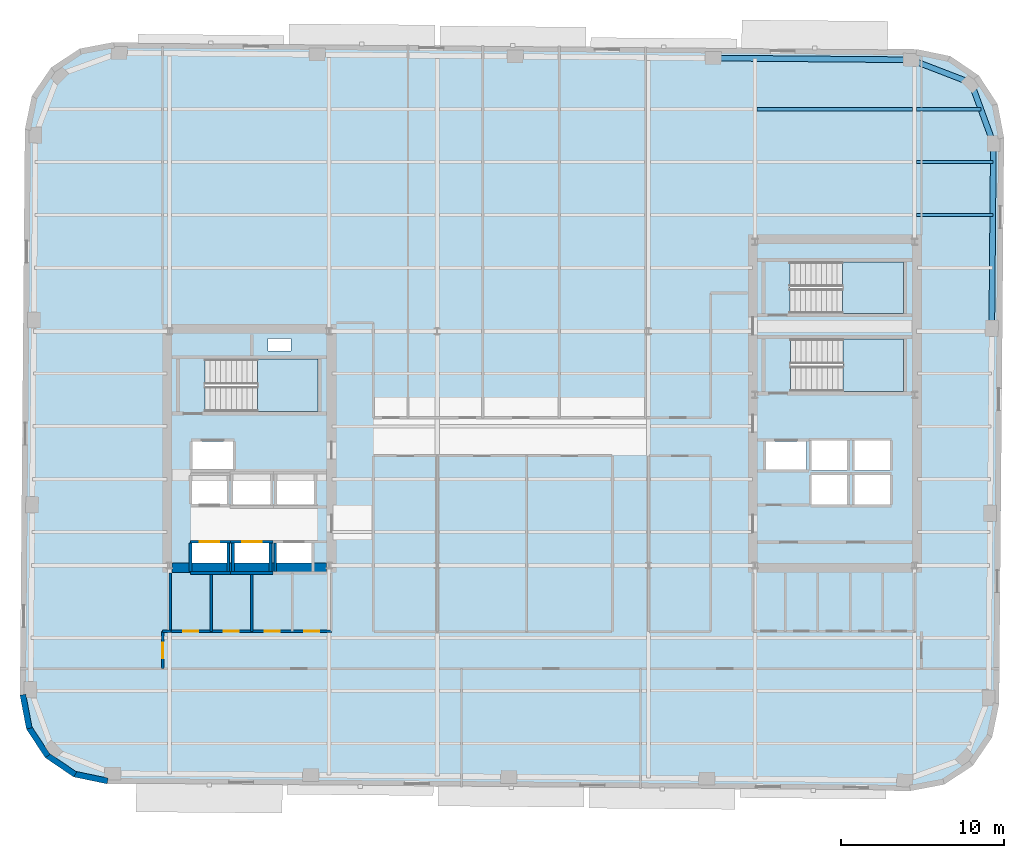
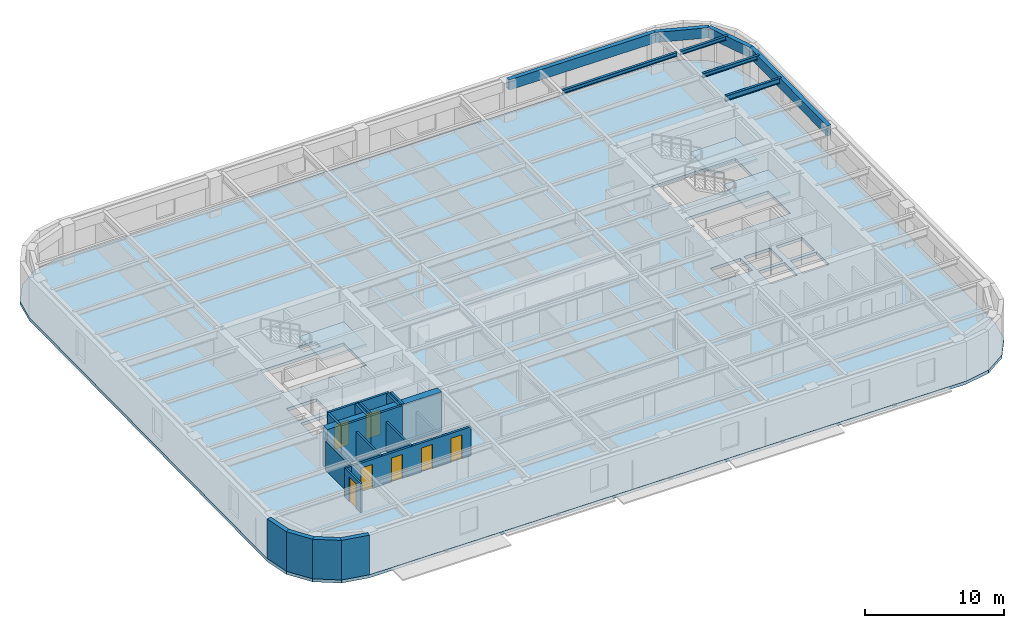
# One storey, part 3 of 11: 20 walls, 8 beams, 7 doors, 4 slabs, 7 openings, 3 elements without a shape of their own.
"""IFC4 building model written with IfcOpenShell, lengths in metres."""

import ifcopenshell
import ifcopenshell.guid

model = None  # the IFC model being written
_history = None  # IfcOwnerHistory: only IFC2X3 demands one
_inside = {}  # id of a spatial element -> (the spatial element, [elements in it])
_under = {}  # id of a project, library or spatial element -> (it, [spatial elements below it])
_declared = {}  # id of a project -> (the project, [libraries it declares])
_typed = {}  # id of a type object -> (the type object, [elements of that type])
_made_of = {}  # id of a material, layer set ... -> (it, [elements and type objects made of it])


def new_model(schema):
    """Start an empty IFC model of exactly this schema.

    Asked for "IFC4X3", IfcOpenShell would pick the latest addendum, in which some entities
    have other attributes; the version numbers below select the first issue.
    IFC2X3 requires an IfcOwnerHistory on every rooted entity: one is made here for all.
    """
    global model, _history
    if schema == "IFC4X3":
        model = ifcopenshell.file(schema_version=(4, 3, 0, 0))
    else:
        model = ifcopenshell.file(schema=schema)
    _inside.clear()
    _under.clear()
    _declared.clear()
    _typed.clear()
    _made_of.clear()
    _history = None
    if model.schema == "IFC2X3":
        org = make("IfcOrganization", Name="unknown")
        user = make(
            "IfcPersonAndOrganization",
            ThePerson=make("IfcPerson", FamilyName="unknown"),
            TheOrganization=org,
        )
        app = make(
            "IfcApplication",
            ApplicationDeveloper=org,
            Version="unknown",
            ApplicationFullName="unknown",
            ApplicationIdentifier="unknown",
        )
        _history = make(
            "IfcOwnerHistory",
            OwningUser=user,
            OwningApplication=app,
            ChangeAction="ADDED",
            CreationDate=0,
        )
    return model


def make(cls, **values):
    """One entity of the class cls with the attributes given. An attribute that is None is left unset."""
    return model.create_entity(
        cls, **{name: value for name, value in values.items() if value is not None}
    )


def rooted(cls, **values):
    """An entity with a GlobalId (a new one), such as an element, a storey or a relation."""
    return make(cls, GlobalId=ifcopenshell.guid.new(), OwnerHistory=_history, **values)


def si_unit(unit_type, name, prefix=None):
    """IfcSIUnit, for example si_unit("LENGTHUNIT", "METRE", prefix="MILLI")."""
    return make("IfcSIUnit", UnitType=unit_type, Prefix=prefix, Name=name)


def assignment(units):
    """IfcUnitAssignment: the units of a project."""
    return None if units is None else make("IfcUnitAssignment", Units=units)


def point(xyz):
    """IfcCartesianPoint."""
    return None if xyz is None else make("IfcCartesianPoint", Coordinates=xyz)


def direction(xyz):
    """IfcDirection."""
    return None if xyz is None else make("IfcDirection", DirectionRatios=xyz)


def frame(location, z_axis=None, x_axis=None):
    """IfcAxis2Placement3D, a coordinate frame: its origin and axes. An axis left out is left unset."""
    return make(
        "IfcAxis2Placement3D",
        Location=point(location),
        Axis=direction(z_axis),
        RefDirection=direction(x_axis),
    )


def frame_2d(location, x_axis=None):
    """IfcAxis2Placement2D, a coordinate frame in the plane: its origin and x axis."""
    return make(
        "IfcAxis2Placement2D", Location=point(location), RefDirection=direction(x_axis)
    )


def origin():
    """The frame at (0, 0, 0) with its axes left unset."""
    return frame((0.0, 0.0, 0.0))


def origin_2d():
    """The frame at (0, 0) in the plane with its x axis left unset."""
    return frame_2d((0.0, 0.0))


def place(relative_to, where):
    """IfcLocalPlacement: puts the frame where relative to a parent placement (None: the world)."""
    return make(
        "IfcLocalPlacement", PlacementRelTo=relative_to, RelativePlacement=where
    )


def context(
    kind, dimensions, precision=None, world=None, true_north=None, identifier=None
):
    """IfcGeometricRepresentationContext, for example the 3D "Model" context."""
    return make(
        "IfcGeometricRepresentationContext",
        ContextIdentifier=identifier,
        ContextType=kind,
        CoordinateSpaceDimension=dimensions,
        Precision=precision,
        WorldCoordinateSystem=world,
        TrueNorth=true_north,
    )


def subcontext(parent, identifier, kind, view, scale=None):
    """IfcGeometricRepresentationSubContext, for example "Body" below "Model"."""
    return make(
        "IfcGeometricRepresentationSubContext",
        ContextIdentifier=identifier,
        ContextType=kind,
        ParentContext=parent,
        TargetScale=scale,
        TargetView=view,
    )


def project(units=None, contexts=None):
    """IfcProject with its units and contexts."""
    return rooted(
        "IfcProject",
        Name="project",
        RepresentationContexts=contexts,
        UnitsInContext=assignment(units),
    )


def spatial(cls, under=None, at=None, **own):
    """A site, building, storey or space (cls), placed at a placement, below another one or the project."""
    s = rooted(cls, ObjectPlacement=at, **own)
    if under is not None:
        _under.setdefault(under.id(), (under, []))[1].append(s)
    return s


def polyline(points):
    """IfcPolyline through the points."""
    return make("IfcPolyline", Points=[point(p) for p in points])


def profile(cls, at=None, kind="AREA", **sizes):
    """A parametric profile (cls). Its sizes go by their IFC names, for example OverallWidth=200.0."""
    return make(cls, ProfileType=kind, Position=at, **sizes)


def rectangle(**sizes):
    """IfcRectangleProfileDef."""
    return profile("IfcRectangleProfileDef", **sizes)


def hollow_rectangle(**sizes):
    """IfcRectangleHollowProfileDef."""
    return profile("IfcRectangleHollowProfileDef", **sizes)


def i_section(**sizes):
    """IfcIShapeProfileDef."""
    return profile("IfcIShapeProfileDef", **sizes)


def outline(outer, holes=None, kind="AREA"):
    """IfcArbitraryClosedProfileDef: a profile drawn as a closed curve; with holes, ...WithVoids."""
    if holes is None:
        return make("IfcArbitraryClosedProfileDef", ProfileType=kind, OuterCurve=outer)
    return make(
        "IfcArbitraryProfileDefWithVoids",
        ProfileType=kind,
        OuterCurve=outer,
        InnerCurves=holes,
    )


def extrude(swept, where, along, depth):
    """IfcExtrudedAreaSolid: the profile swept, set in the frame where, extruded along a direction by depth."""
    return make(
        "IfcExtrudedAreaSolid",
        SweptArea=swept,
        Position=where,
        ExtrudedDirection=direction(along),
        Depth=depth,
    )


def shape(context_of_items, identifier, shape_type, items):
    """IfcShapeRepresentation: the items that make up one representation, for example the "Body"."""
    return make(
        "IfcShapeRepresentation",
        ContextOfItems=context_of_items,
        RepresentationIdentifier=identifier,
        RepresentationType=shape_type,
        Items=items,
    )


def material(Name=None, Category=None):
    """IfcMaterial."""
    return make("IfcMaterial", Name=Name, Category=Category)


def layer(
    of_material, thickness, ventilated=None, Name=None, Category=None, Priority=None
):
    """IfcMaterialLayer: one layer of a wall or slab, of a material (None: an air gap)."""
    return make(
        "IfcMaterialLayer",
        Material=of_material,
        LayerThickness=thickness,
        IsVentilated=ventilated,
        Name=Name,
        Category=Category,
        Priority=Priority,
    )


def layer_set(layers, Name=None):
    """IfcMaterialLayerSet."""
    return make("IfcMaterialLayerSet", MaterialLayers=layers, LayerSetName=Name)


def material_profile(
    of_material, cross_section, Name=None, Category=None, Priority=None
):
    """IfcMaterialProfile: a cross section and its material."""
    return make(
        "IfcMaterialProfile",
        Name=Name,
        Material=of_material,
        Profile=cross_section,
        Priority=Priority,
        Category=Category,
    )


def profile_set(profiles, Name=None, composite=None):
    """IfcMaterialProfileSet."""
    return make(
        "IfcMaterialProfileSet",
        Name=Name,
        MaterialProfiles=profiles,
        CompositeProfile=composite,
    )


def made_of(thing, what):
    """Note that an element or type object is made of a material, layer set ...; save() writes the relation."""
    if what is not None:
        _made_of.setdefault(what.id(), (what, []))[1].append(thing)
    return thing


def type_object(cls, material=None, **own):
    """A type object (cls), such as IfcWallType, which elements share."""
    return made_of(rooted(cls, **own), material)


def element(
    cls,
    number,
    at=None,
    inside=None,
    cuts=None,
    type_object=None,
    material=None,
    context=None,
    identifier="Body",
    shape_type=None,
    held_by="IfcProductDefinitionShape",
    body=None,
    shapes=None,
    **own,
):
    """One element of the class cls, such as IfcWall. Its Tag is "e" and its number.

    at: its placement. inside: the storey or other place that contains it. cuts: it is an
    opening in that element (IfcRelVoidsElement). A single representation is given by context,
    identifier, shape_type and body (its items); several are given by shapes. held_by: the class
    of the entity that holds the representations. save() writes the other relations.
    """
    e = rooted(cls, Tag="e%d" % number, ObjectPlacement=at, **own)
    if body is not None:
        shapes = [shape(context, identifier, shape_type, body)]
    if shapes is not None:
        e.Representation = make(held_by, Representations=shapes)
    if inside is not None:
        _inside.setdefault(inside.id(), (inside, []))[1].append(e)
    if cuts is not None:
        rooted(
            "IfcRelVoidsElement", RelatingBuildingElement=cuts, RelatedOpeningElement=e
        )
    if type_object is not None:
        _typed.setdefault(type_object.id(), (type_object, []))[1].append(e)
    return made_of(e, material)


def fill(opening, filler):
    """IfcRelFillsElement: the door or window that sits in an opening."""
    return rooted(
        "IfcRelFillsElement",
        RelatingOpeningElement=opening,
        RelatedBuildingElement=filler,
    )


def aggregate(whole, parts):
    """IfcRelAggregates: a whole, such as a stair, and the parts it consists of."""
    return rooted("IfcRelAggregates", RelatingObject=whole, RelatedObjects=parts)


def save(model, path):
    """Write the relations noted so far, then the file.

    IfcRelAggregates (storeys below a building ...), IfcRelContainedInSpatialStructure (elements
    in a storey), IfcRelDefinesByType, IfcRelAssociatesMaterial and IfcRelDeclares: one each for
    every whole, place, type object, material and project.
    """
    for whole, parts in _under.values():
        aggregate(whole, parts)
    for where, things in _inside.values():
        rooted(
            "IfcRelContainedInSpatialStructure",
            RelatedElements=things,
            RelatingStructure=where,
        )
    for kind, things in _typed.values():
        rooted("IfcRelDefinesByType", RelatedObjects=things, RelatingType=kind)
    for what, things in _made_of.values():
        rooted("IfcRelAssociatesMaterial", RelatedObjects=things, RelatingMaterial=what)
    for by, libraries in _declared.values():
        rooted("IfcRelDeclares", RelatingContext=by, RelatedDefinitions=libraries)
    model.write(path)


model = new_model("IFC4")

# Units and contexts
model_context = context("Model", 3, precision=1e-05, world=origin(), true_north=direction((0.0, 1.0)))
body_context = subcontext(model_context, "Body", "Model", "MODEL_VIEW")
ifc_project = project(units=[si_unit("LENGTHUNIT", "METRE"), si_unit("AREAUNIT", "SQUARE_METRE"), si_unit("VOLUMEUNIT", "CUBIC_METRE"), si_unit("PLANEANGLEUNIT", "RADIAN"), si_unit("MASSUNIT", "GRAM", prefix="KILO")], contexts=[model_context])

# Site, building, storey
site_placement = place(None, origin())
site = spatial("IfcSite", under=ifc_project, at=site_placement, CompositionType="ELEMENT")
building_placement = place(site_placement, origin())
building = spatial("IfcBuilding", under=site, at=building_placement, Name="Kolvaren Arena Tower", CompositionType="ELEMENT")
storey_placement = place(building_placement, frame((0.0, 0.0, 184.699951171875)))
storey = spatial("IfcBuildingStorey", under=building, at=storey_placement, Name="L44", CompositionType="ELEMENT", Elevation=184.699951171875)

# Beams
ifc_material_1 = material(Name="Steel CSA G40.21 350W", Category="steel")
ifc_material_profile_1 = material_profile(ifc_material_1, i_section(OverallWidth=0.193115234375, OverallDepth=0.462890625, WebThickness=0.0107421875, FlangeThickness=0.0205078125, FilletRadius=0.012939453125, at=origin_2d()), Name="W460x113")
ifc_profile_set_1 = profile_set([ifc_material_profile_1], Name="Steel CSA G40.21 350W")
beam_type_1 = type_object("IfcBeamType", Name="BEAM-F2", PredefinedType="BEAM", material=ifc_profile_set_1)
beam_1_placement = place(storey_placement, frame((60.4775390625, 41.0, 3.24853515625), z_axis=(1.0, 0.0, 0.0), x_axis=(0.0, 1.0, 0.0)))
element("IfcBeam", 1, at=beam_1_placement, inside=storey, type_object=beam_type_1, Name="Composite Floor Beam (L44)", PredefinedType="BEAM", context=body_context, shape_type="SweptSolid", body=[
    extrude(i_section(OverallWidth=0.193115234375, OverallDepth=0.462890625, WebThickness=0.0107421875, FlangeThickness=0.0205078125, FilletRadius=0.012939453125, at=origin_2d()), origin(), (0.0, 0.0, 1.0), 4.681884765625),
])
ifc_material_profile_2 = material_profile(ifc_material_1, i_section(OverallWidth=0.202880859375, OverallDepth=0.346923828125, WebThickness=0.0078125, FlangeThickness=0.013427734375, FilletRadius=0.010986328125, at=origin_2d()), Name="W360x64")
ifc_profile_set_2 = profile_set([ifc_material_profile_2], Name="Steel CSA G40.21 350W")
beam_type_2 = type_object("IfcBeamType", Name="JOIST-01", PredefinedType="JOIST", material=ifc_profile_set_2)
beam_2_placement = place(storey_placement, frame((60.4775390625, 44.25, 3.306640625), z_axis=(1.0, 0.0, 0.0), x_axis=(0.0, 1.0, 0.0)))
element("IfcBeam", 2, at=beam_2_placement, inside=storey, type_object=beam_type_2, Name="Composite Floor Joist (L44)", PredefinedType="JOIST", context=body_context, shape_type="SweptSolid", body=[
    extrude(i_section(OverallWidth=0.202880859375, OverallDepth=0.346923828125, WebThickness=0.0078125, FlangeThickness=0.013427734375, FilletRadius=0.010986328125, at=origin_2d()), origin(), (0.0, 0.0, 1.0), 4.710205078125),
])
beam_3_placement = place(storey_placement, frame((50.677490234375, 47.5, 3.306640625), z_axis=(1.0, 0.0, 0.0), x_axis=(0.0, 1.0, 0.0)))
element("IfcBeam", 3, at=beam_3_placement, inside=storey, type_object=beam_type_2, Name="Composite Floor Joist (L44)", PredefinedType="JOIST", context=body_context, shape_type="SweptSolid", body=[
    extrude(i_section(OverallWidth=0.202880859375, OverallDepth=0.346923828125, WebThickness=0.0078125, FlangeThickness=0.013427734375, FilletRadius=0.010986328125, at=origin_2d()), origin(), (0.0, 0.0, 1.0), 9.544921875),
])
beam_4_placement = place(storey_placement, frame((60.4775390625, 47.5, 3.306640625), z_axis=(1.0, 0.0, 0.0), x_axis=(0.0, 1.0, 0.0)))
element("IfcBeam", 4, at=beam_4_placement, inside=storey, type_object=beam_type_2, Name="Composite Floor Joist (L44)", PredefinedType="JOIST", context=body_context, shape_type="SweptSolid", body=[
    extrude(i_section(OverallWidth=0.202880859375, OverallDepth=0.346923828125, WebThickness=0.0078125, FlangeThickness=0.013427734375, FilletRadius=0.010986328125, at=origin_2d()), origin(), (0.0, 0.0, 1.0), 3.950439453125),
])
ifc_material_2 = material(Name="Steel CSA G40.21 350WT", Category="steel")
ifc_material_profile_3 = material_profile(ifc_material_2, hollow_rectangle(XDim=0.35009765625, YDim=0.89990234375, WallThickness=0.02001953125, at=origin_2d()), Name="HSS 900x350x20")
ifc_profile_set_3 = profile_set([ifc_material_profile_3], Name="Steel CSA G40.21 350WT")
beam_type_3 = type_object("IfcBeamType", Name="SPAND-01", PredefinedType="SPANDREL", material=ifc_profile_set_3)
beam_5_placement = place(storey_placement, frame((65.098388671875, 34.026123046875, 3.030029296875), z_axis=(0.008741825937, 0.99996178951, 0.0), x_axis=(-0.99996178951, 0.008741825937, 0.0)))
element("IfcBeam", 5, at=beam_5_placement, inside=storey, type_object=beam_type_3, Name="Perimeter Spandrel Beam (L44)", PredefinedType="SPANDREL", context=body_context, shape_type="SweptSolid", body=[
    extrude(hollow_rectangle(XDim=0.35009765625, YDim=0.89990234375, WallThickness=0.02001953125, at=origin_2d()), origin(), (0.0, 0.0, 1.0), 11.36669921875),
])
for number, where, z_axis, x_axis, name in (
    (6, (65.19775390625, 45.392333984375, 3.030029296875), (-0.343059102458, 0.939313819882, 0.0), (-0.939313819882, -0.343059102458, 0.0), "Perimeter Spandrel Beam (L44)"),
    (7, (63.8388671875, 49.113037109375, 3.030029296875), (-0.933189846698, 0.359383792094, 0.0), (-0.359383792094, -0.933189846698, 0.0), "Perimeter Spandrel Beam (L44)"),
):
    element("IfcBeam", number, at=place(storey_placement, frame(where, z_axis=z_axis, x_axis=x_axis)), inside=storey, type_object=beam_type_3, Name=name, PredefinedType="SPANDREL", context=body_context, shape_type="SweptSolid", body=[
        extrude(hollow_rectangle(XDim=0.35009765625, YDim=0.89990234375, WallThickness=0.02001953125, at=origin_2d()), origin(), (0.0, 0.0, 1.0), 3.961181640625),
    ])
beam_6_placement = place(storey_placement, frame((60.142333984375, 50.53662109375, 3.030029296875), z_axis=(-0.99996195503, 0.008722871848, 0.0), x_axis=(-0.008722871848, -0.99996195503, 0.0)))
element("IfcBeam", 8, at=beam_6_placement, inside=storey, type_object=beam_type_3, Name="Perimeter Spandrel Beam (L44)", PredefinedType="SPANDREL", context=body_context, shape_type="SweptSolid", body=[
    extrude(hollow_rectangle(XDim=0.35009765625, YDim=0.89990234375, WallThickness=0.02001953125, at=origin_2d()), origin(), (0.0, 0.0, 1.0), 12.175048828125),
])

# Stair, slab
ifc_material_3 = material(Name="Concrete 45 MPa", Category="concrete")
stair_type_1 = type_object("IfcStairType", Name="STAIR-CORE-165", PredefinedType="HALF_TURN_STAIR", material=ifc_material_3)
stair_1_placement = place(storey_placement, origin())
stair_1 = element("IfcStair", 9, at=stair_1_placement, inside=storey, type_object=stair_type_1, Name="L44 ST-W1", PredefinedType="HALF_TURN_STAIR")
ifc_layer_1 = layer(ifc_material_3, 0.199951171875)
ifc_layer_set_1 = layer_set([ifc_layer_1], Name="Concrete 45 MPa")
slab_type_1 = type_object("IfcSlabType", Name="SLAB-LAND", PredefinedType="LANDING", material=ifc_layer_set_1)
slab_1_placement = place(storey_placement, frame((0.0, 0.0, 1.675048828125)))
slab_1 = element("IfcSlab", 10, at=slab_1_placement, type_object=slab_type_1, Name="ST-W1 landing 1", PredefinedType="LANDING", context=body_context, shape_type="SweptSolid", body=[
    extrude(outline(polyline([(19.9599609375, 28.89990234375), (23.659912109375, 28.89990234375), (23.659912109375, 32.1298828125), (19.9599609375, 32.1298828125), (19.9599609375, 28.89990234375)])), origin(), (0.0, 0.0, 1.0), 0.199951171875),
])
aggregate(stair_1, [slab_1])

stair_2_placement = place(storey_placement, origin())
stair_2 = element("IfcStair", 11, at=stair_2_placement, inside=storey, type_object=stair_type_1, Name="L44 ST-E1", PredefinedType="HALF_TURN_STAIR")
slab_2_placement = place(storey_placement, frame((0.0, 0.0, 1.675048828125)))
slab_2 = element("IfcSlab", 12, at=slab_2_placement, type_object=slab_type_1, Name="ST-E1 landing 1", PredefinedType="LANDING", context=body_context, shape_type="SweptSolid", body=[
    extrude(outline(polyline([(55.9599609375, 30.14990234375), (59.659912109375, 30.14990234375), (59.659912109375, 33.3798828125), (55.9599609375, 33.3798828125), (55.9599609375, 30.14990234375)])), origin(), (0.0, 0.0, 1.0), 0.199951171875),
])
aggregate(stair_2, [slab_2])

stair_type_2 = type_object("IfcStairType", Name="STAIR-CORE-150", PredefinedType="HALF_TURN_STAIR", material=ifc_material_3)
stair_3_placement = place(storey_placement, origin())
stair_3 = element("IfcStair", 13, at=stair_3_placement, inside=storey, type_object=stair_type_2, Name="L44 ST-E2", PredefinedType="HALF_TURN_STAIR")
slab_3_placement = place(storey_placement, frame((0.0, 0.0, 1.675048828125)))
slab_3 = element("IfcSlab", 14, at=slab_3_placement, type_object=slab_type_1, Name="ST-E2 landing 1", PredefinedType="LANDING", context=body_context, shape_type="SweptSolid", body=[
    extrude(outline(polyline([(55.919921875, 34.949951171875), (59.659912109375, 34.949951171875), (59.659912109375, 38.10009765625), (55.919921875, 38.10009765625), (55.919921875, 34.949951171875)])), origin(), (0.0, 0.0, 1.0), 0.199951171875),
])
aggregate(stair_3, [slab_3])

# Slab
ifc_layer_2 = layer(ifc_material_3, 0.27001953125)
ifc_layer_set_2 = layer_set([ifc_layer_2], Name="Concrete 45 MPa")
slab_type_2 = type_object("IfcSlabType", Name="SLAB-OFF2", PredefinedType="FLOOR", material=ifc_layer_set_2)
slab_4_placement = place(storey_placement, frame((0.0, 0.0, -0.27001953125)))
element("IfcSlab", 15, at=slab_4_placement, inside=storey, type_object=slab_type_2, Name="L44 Primary Structural Slab", PredefinedType="FLOOR", context=body_context, shape_type="SweptSolid", body=[
    extrude(outline(polyline([(60.10009765625, 5.585205078125), (62.170166015625, 5.978271484375), (63.93212890625, 7.133544921875), (65.117919921875, 8.875244140625), (65.547119140625, 10.93798828125), (65.8505859375, 45.73681640625), (65.457763671875, 47.806640625), (64.302490234375, 49.568603515625), (62.560791015625, 50.75439453125), (60.498046875, 51.18359375), (11.099853515625, 51.61474609375), (9.02978515625, 51.2216796875), (7.267822265625, 50.06640625), (6.08203125, 48.32470703125), (5.653076171875, 46.261962890625), (5.349365234375, 11.46337890625), (5.7421875, 9.393310546875), (6.8974609375, 7.63134765625), (8.63916015625, 6.445556640625), (10.701904296875, 6.016357421875), (60.10009765625, 5.585205078125)]), holes=[polyline([(15.93505859375, 19.0849609375), (15.93505859375, 20.81494140625), (18.06494140625, 20.81494140625), (18.06494140625, 19.0849609375), (15.93505859375, 19.0849609375)]), polyline([(18.534912109375, 19.0849609375), (18.534912109375, 20.81494140625), (20.6650390625, 20.81494140625), (20.6650390625, 19.0849609375), (18.534912109375, 19.0849609375)]), polyline([(21.135009765625, 19.0849609375), (21.135009765625, 20.81494140625), (23.264892578125, 20.81494140625), (23.264892578125, 19.0849609375), (21.135009765625, 19.0849609375)]), polyline([(18.4599609375, 23.135009765625), (18.4599609375, 25.06494140625), (20.739990234375, 25.06494140625), (20.739990234375, 23.135009765625), (18.4599609375, 23.135009765625)]), polyline([(21.159912109375, 23.135009765625), (21.159912109375, 25.06494140625), (23.43994140625, 25.06494140625), (23.43994140625, 23.135009765625), (21.159912109375, 23.135009765625)]), polyline([(54.030029296875, 23.18505859375), (54.030029296875, 25.014892578125), (56.2099609375, 25.014892578125), (56.2099609375, 23.18505859375), (54.030029296875, 23.18505859375)]), polyline([(56.669921875, 23.18505859375), (56.669921875, 25.014892578125), (58.85009765625, 25.014892578125), (58.85009765625, 23.18505859375), (56.669921875, 23.18505859375)]), polyline([(15.93505859375, 23.235107421875), (15.93505859375, 24.965087890625), (18.06494140625, 24.965087890625), (18.06494140625, 23.235107421875), (15.93505859375, 23.235107421875)]), polyline([(54.030029296875, 25.284912109375), (54.030029296875, 27.114990234375), (56.2099609375, 27.114990234375), (56.2099609375, 25.284912109375), (54.030029296875, 25.284912109375)]), polyline([(56.669921875, 25.284912109375), (56.669921875, 27.114990234375), (58.85009765625, 27.114990234375), (58.85009765625, 25.284912109375), (56.669921875, 25.284912109375)]), polyline([(15.9599609375, 25.3349609375), (15.9599609375, 27.06494140625), (18.43994140625, 27.06494140625), (18.43994140625, 25.3349609375), (15.9599609375, 25.3349609375)]), polyline([(51.219970703125, 25.3349609375), (51.219970703125, 27.06494140625), (53.699951171875, 27.06494140625), (53.699951171875, 25.3349609375), (51.219970703125, 25.3349609375)]), polyline([(16.735107421875, 28.89990234375), (16.735107421875, 32.1298828125), (23.659912109375, 32.1298828125), (23.659912109375, 28.89990234375), (16.735107421875, 28.89990234375)]), polyline([(52.735107421875, 30.14990234375), (52.735107421875, 33.3798828125), (59.659912109375, 33.3798828125), (59.659912109375, 30.14990234375), (52.735107421875, 30.14990234375)]), polyline([(20.60009765625, 32.6201171875), (20.60009765625, 33.39990234375), (22.0, 33.39990234375), (22.0, 32.6201171875), (20.60009765625, 32.6201171875)]), polyline([(52.695068359375, 34.949951171875), (52.695068359375, 38.10009765625), (59.659912109375, 38.10009765625), (59.659912109375, 34.949951171875), (52.695068359375, 34.949951171875)])]), origin(), (0.0, 0.0, 1.0), 0.27001953125),
])

# Wall, opening, door
ifc_material_4 = material(Name="Gypsum board acoustic assembly", Category="gypsum")
ifc_layer_3 = layer(ifc_material_4, 0.159912109375)
ifc_layer_set_3 = layer_set([ifc_layer_3], Name="Gypsum board acoustic assembly")
wall_type_1 = type_object("IfcWallType", Name="CORR-160", PredefinedType="PARTITIONING", material=ifc_layer_set_3)
wall_1_placement = place(storey_placement, frame((14.1201171875, 13.10009765625, 0.0), z_axis=(0.0, 0.0, 1.0), x_axis=(0.0, 1.0, 0.0)))
wall_1 = element("IfcWall", 16, at=wall_1_placement, inside=storey, type_object=wall_type_1, Name="Interior Partition Wall (L44)", PredefinedType="PARTITIONING", context=body_context, shape_type="SweptSolid", body=[
    extrude(rectangle(XDim=2.2998046875, YDim=0.159912109375, at=frame_2d((1.14990234375, 0.0))), origin(), (0.0, 0.0, 1.0), 2.5400390625),
])
opening_1_placement = place(wall_1_placement, frame((0.64990234375, 0.0, 0.0)))
opening_1 = element("IfcOpeningElement", 17, at=opening_1_placement, cuts=wall_1, Name="Opening D05", PredefinedType="OPENING", context=body_context, shape_type="SweptSolid", body=[
    extrude(rectangle(XDim=0.949951171875, YDim=2.14990234375, at=frame_2d((0.47509765625, 1.074951171875))), frame((0.0, 0.08984375, 0.0), z_axis=(0.0, -1.0, 0.0), x_axis=(1.0, 0.0, 0.0)), (0.0, 0.0, 1.0), 0.179931640625),
])
ifc_material_5 = material(Name="Solid-core oak acoustic office door", Category="wood")
door_type_1 = type_object("IfcDoorType", Name="DOOR-OF-095", OperationType="NOTDEFINED", PredefinedType="DOOR", material=ifc_material_5)
door_1_placement = place(opening_1_placement, origin())
door_1 = element("IfcDoor", 18, at=door_1_placement, inside=storey, type_object=door_type_1, Name="West Wing Office Door (L44)", OperationType="SINGLE_SWING_LEFT", OverallHeight=2.14990234375, OverallWidth=0.949951171875, PredefinedType="DOOR", context=body_context, shape_type="SweptSolid", body=[
    extrude(rectangle(XDim=0.949951171875, YDim=2.14990234375, at=frame_2d((0.47509765625, 1.074951171875))), frame((0.0, 0.02490234375, 0.0), z_axis=(0.0, -1.0, 0.0), x_axis=(1.0, 0.0, 0.0)), (0.0, 0.0, 1.0), 0.050048828125),
])
fill(opening_1, door_1)

# Walls
wall_2_placement = place(storey_placement, frame((14.1201171875, 15.39990234375, 0.0), z_axis=(0.0, 0.0, 1.0), x_axis=(1.0, 0.0, 0.0)))
element("IfcWall", 19, at=wall_2_placement, inside=storey, type_object=wall_type_1, Name="Interior Partition Wall (L44)", PredefinedType="PARTITIONING", context=body_context, shape_type="SweptSolid", body=[
    extrude(rectangle(XDim=0.5, YDim=0.159912109375, at=frame_2d((0.25, 0.0))), origin(), (0.0, 0.0, 1.0), 2.5400390625),
])
ifc_material_6 = material(Name="Concrete 60 MPa", Category="concrete")
ifc_layer_4 = layer(ifc_material_6, 0.60009765625)
ifc_layer_set_4 = layer_set([ifc_layer_4], Name="Concrete 60 MPa")
wall_type_2 = type_object("IfcWallType", Name="CWALL-600", PredefinedType="SHEAR", material=ifc_layer_set_4)
wall_3_placement = place(storey_placement, frame((14.699951171875, 19.300048828125, -0.27001953125), z_axis=(0.0, 0.0, 1.0), x_axis=(1.0, 0.0, 0.0)))
element("IfcWall", 20, at=wall_3_placement, inside=storey, type_object=wall_type_2, Name="Core Shear Wall WC-SOUTH (L44)", PredefinedType="SHEAR", context=body_context, shape_type="SweptSolid", body=[
    extrude(rectangle(XDim=9.5, YDim=0.60009765625, at=frame_2d((4.75, 0.0))), origin(), (0.0, 0.0, 1.0), 3.75),
])
ifc_material_7 = material(Name="Precast concrete C50/60", Category="concrete")
ifc_layer_5 = layer(ifc_material_7, 0.360107421875)
ifc_layer_set_5 = layer_set([ifc_layer_5], Name="Precast concrete C50/60")
wall_type_3 = type_object("IfcWallType", Name="EXT-PIER2", PredefinedType="SOLIDWALL", material=ifc_layer_set_5)
for number, where, z_axis, x_axis, name in (
    (21, (5.919189453125, 9.427001953125, 0.0), (0.0, 0.0, 1.0), (-0.186568933123, 0.982441872679, 0.0), "Exterior Precast Masonry-Frame Wall (L44)"),
    (22, (7.048095703125, 7.72998046875, 0.0), (0.0, 0.0, 1.0), (-0.548319766745, 0.836268756678, 0.0), "Exterior Precast Masonry-Frame Wall (L44)"),
    (23, (8.740478515625, 6.59423828125, 0.0), (0.0, 0.0, 1.0), (-0.826609569219, 0.56277581689, 0.0), "Exterior Precast Masonry-Frame Wall (L44)"),
):
    element("IfcWall", number, at=place(storey_placement, frame(where, z_axis=z_axis, x_axis=x_axis)), inside=storey, type_object=wall_type_3, Name=name, PredefinedType="SOLIDWALL", context=body_context, shape_type="SweptSolid", body=[
        extrude(rectangle(XDim=2.10693359375, YDim=0.360107421875, at=frame_2d((1.053466796875, 0.0))), origin(), (0.0, 0.0, 1.0), 3.47998046875),
    ])
wall_4_placement = place(storey_placement, frame((10.73876953125, 6.192626953125, 0.0), z_axis=(0.0, 0.0, 1.0), x_axis=(-0.979059388908, 0.203574833883, 0.0)))
element("IfcWall", 24, at=wall_4_placement, inside=storey, type_object=wall_type_3, Name="Exterior Precast Masonry-Frame Wall (L44)", PredefinedType="SOLIDWALL", context=body_context, shape_type="SweptSolid", body=[
    extrude(rectangle(XDim=2.107177734375, YDim=0.360107421875, at=frame_2d((1.0537109375, 0.0))), origin(), (0.0, 0.0, 1.0), 3.47998046875),
])

# Wall, opening, door
ifc_layer_6 = layer(ifc_material_3, 0.25)
ifc_layer_set_6 = layer_set([ifc_layer_6], Name="Concrete 45 MPa")
wall_type_4 = type_object("IfcWallType", Name="SHAFT-250", PredefinedType="SOLIDWALL", material=ifc_layer_set_6)
wall_5_placement = place(storey_placement, frame((15.844970703125, 20.905029296875, 0.0), z_axis=(0.0, 0.0, 1.0), x_axis=(1.0, 0.0, 0.0)))
wall_5 = element("IfcWall", 25, at=wall_5_placement, inside=storey, type_object=wall_type_4, Name="Core Shaft Wall (L44)", PredefinedType="SOLIDWALL", context=body_context, shape_type="SweptSolid", body=[
    extrude(rectangle(XDim=2.455078125, YDim=0.179931640625, at=frame_2d((1.2275390625, 0.0))), origin(), (0.0, 0.0, 1.0), 3.47998046875),
])
opening_2_placement = place(wall_5_placement, frame((0.554931640625, 0.0, 0.0)))
opening_2 = element("IfcOpeningElement", 26, at=opening_2_placement, cuts=wall_5, Name="Opening LD1", PredefinedType="OPENING", context=body_context, shape_type="SweptSolid", body=[
    extrude(rectangle(XDim=1.199951171875, YDim=2.199951171875, at=frame_2d((0.60009765625, 1.10009765625))), frame((0.0, 0.099853515625, 0.0), z_axis=(0.0, -1.0, 0.0), x_axis=(1.0, 0.0, 0.0)), (0.0, 0.0, 1.0), 0.199951171875),
])
ifc_material_8 = material(Name="Stainless steel passenger lift landing door", Category="steel")
door_type_2 = type_object("IfcDoorType", Name="DOOR-LD-120", OperationType="DOUBLE_DOOR_SLIDING", PredefinedType="DOOR", material=ifc_material_8)
door_2_placement = place(opening_2_placement, origin())
door_2 = element("IfcDoor", 27, at=door_2_placement, inside=storey, type_object=door_type_2, Name="Lift EL-MR1 Landing Door (L44)", OperationType="DOUBLE_DOOR_SLIDING", OverallHeight=2.199951171875, OverallWidth=1.199951171875, PredefinedType="DOOR", context=body_context, shape_type="SweptSolid", body=[
    extrude(rectangle(XDim=1.199951171875, YDim=2.199951171875, at=frame_2d((0.60009765625, 1.10009765625))), frame((0.0, 0.02490234375, 0.0), z_axis=(0.0, -1.0, 0.0), x_axis=(1.0, 0.0, 0.0)), (0.0, 0.0, 1.0), 0.050048828125),
])
fill(opening_2, door_2)

# Walls
wall_6_placement = place(storey_placement, frame((15.844970703125, 18.9951171875, 0.0), z_axis=(0.0, 0.0, 1.0), x_axis=(1.0, 0.0, 0.0)))
element("IfcWall", 28, at=wall_6_placement, inside=storey, type_object=wall_type_4, Name="Core Shaft Wall (L44)", PredefinedType="SOLIDWALL", context=body_context, shape_type="SweptSolid", body=[
    extrude(rectangle(XDim=2.455078125, YDim=0.179931640625, at=frame_2d((1.2275390625, 0.0))), origin(), (0.0, 0.0, 1.0), 3.47998046875),
])
for number, where, z_axis, x_axis, name in (
    (29, (15.844970703125, 19.0849609375, 0.0), (0.0, 0.0, 1.0), (0.0, 1.0, 0.0), "Core Shaft Wall (L44)"),
    (30, (18.155029296875, 19.0849609375, 0.0), (0.0, 0.0, 1.0), (0.0, 1.0, 0.0), "Core Shaft Wall (L44)"),
):
    element("IfcWall", number, at=place(storey_placement, frame(where, z_axis=z_axis, x_axis=x_axis)), inside=storey, type_object=wall_type_4, Name=name, PredefinedType="SOLIDWALL", context=body_context, shape_type="SweptSolid", body=[
        extrude(rectangle(XDim=1.72998046875, YDim=0.179931640625, at=frame_2d((0.864990234375, 0.0))), origin(), (0.0, 0.0, 1.0), 3.47998046875),
    ])

# Wall, opening, door
wall_7_placement = place(storey_placement, frame((18.300048828125, 20.905029296875, 0.0), z_axis=(0.0, 0.0, 1.0), x_axis=(1.0, 0.0, 0.0)))
wall_7 = element("IfcWall", 31, at=wall_7_placement, inside=storey, type_object=wall_type_4, Name="Core Shaft Wall (L44)", PredefinedType="SOLIDWALL", context=body_context, shape_type="SweptSolid", body=[
    extrude(rectangle(XDim=2.599853515625, YDim=0.179931640625, at=frame_2d((1.2998046875, 0.0))), origin(), (0.0, 0.0, 1.0), 3.47998046875),
])
opening_3_placement = place(wall_7_placement, frame((0.699951171875, 0.0, 0.0)))
opening_3 = element("IfcOpeningElement", 32, at=opening_3_placement, cuts=wall_7, Name="Opening LD1", PredefinedType="OPENING", context=body_context, shape_type="SweptSolid", body=[
    extrude(rectangle(XDim=1.199951171875, YDim=2.199951171875, at=frame_2d((0.60009765625, 1.10009765625))), frame((0.0, 0.099853515625, 0.0), z_axis=(0.0, -1.0, 0.0), x_axis=(1.0, 0.0, 0.0)), (0.0, 0.0, 1.0), 0.199951171875),
])
door_3_placement = place(opening_3_placement, origin())
door_3 = element("IfcDoor", 33, at=door_3_placement, inside=storey, type_object=door_type_2, Name="Lift EL-MR2 Landing Door (L44)", OperationType="DOUBLE_DOOR_SLIDING", OverallHeight=2.199951171875, OverallWidth=1.199951171875, PredefinedType="DOOR", context=body_context, shape_type="SweptSolid", body=[
    extrude(rectangle(XDim=1.199951171875, YDim=2.199951171875, at=frame_2d((0.60009765625, 1.10009765625))), frame((0.0, 0.02490234375, 0.0), z_axis=(0.0, -1.0, 0.0), x_axis=(1.0, 0.0, 0.0)), (0.0, 0.0, 1.0), 0.050048828125),
])
fill(opening_3, door_3)

# Walls
wall_8_placement = place(storey_placement, frame((18.300048828125, 18.9951171875, 0.0), z_axis=(0.0, 0.0, 1.0), x_axis=(1.0, 0.0, 0.0)))
element("IfcWall", 34, at=wall_8_placement, inside=storey, type_object=wall_type_4, Name="Core Shaft Wall (L44)", PredefinedType="SOLIDWALL", context=body_context, shape_type="SweptSolid", body=[
    extrude(rectangle(XDim=2.599853515625, YDim=0.179931640625, at=frame_2d((1.2998046875, 0.0))), origin(), (0.0, 0.0, 1.0), 3.47998046875),
])
for number, where, z_axis, x_axis, name in (
    (35, (18.445068359375, 19.0849609375, 0.0), (0.0, 0.0, 1.0), (0.0, 1.0, 0.0), "Core Shaft Wall (L44)"),
    (36, (20.7548828125, 19.0849609375, 0.0), (0.0, 0.0, 1.0), (0.0, 1.0, 0.0), "Core Shaft Wall (L44)"),
    (37, (21.044921875, 19.0849609375, 0.0), (0.0, 0.0, 1.0), (0.0, 1.0, 0.0), "Core Shaft Wall (L44)"),
):
    element("IfcWall", number, at=place(storey_placement, frame(where, z_axis=z_axis, x_axis=x_axis)), inside=storey, type_object=wall_type_4, Name=name, PredefinedType="SOLIDWALL", context=body_context, shape_type="SweptSolid", body=[
        extrude(rectangle(XDim=1.72998046875, YDim=0.179931640625, at=frame_2d((0.864990234375, 0.0))), origin(), (0.0, 0.0, 1.0), 3.47998046875),
    ])
ifc_material_9 = material(Name="Moisture-resistant gypsum assembly", Category="gypsum")
ifc_layer_7 = layer(ifc_material_9, 0.14990234375)
ifc_layer_set_7 = layer_set([ifc_layer_7], Name="Moisture-resistant gypsum assembly")
wall_type_5 = type_object("IfcWallType", Name="WETW-150", PredefinedType="PARTITIONING", material=ifc_layer_set_7)
for number, where, z_axis, x_axis, name in (
    (38, (17.10009765625, 15.39990234375, 0.0), (0.0, 0.0, 1.0), (0.0, 1.0, 0.0), "Interior Partition Wall (L44)"),
    (39, (19.60009765625, 15.39990234375, 0.0), (0.0, 0.0, 1.0), (0.0, 1.0, 0.0), "Interior Partition Wall (L44)"),
):
    element("IfcWall", number, at=place(storey_placement, frame(where, z_axis=z_axis, x_axis=x_axis)), inside=storey, type_object=wall_type_5, Name=name, PredefinedType="PARTITIONING", context=body_context, shape_type="SweptSolid", body=[
        extrude(rectangle(XDim=3.580078125, YDim=0.14990234375, at=frame_2d((1.7900390625, 0.0))), origin(), (0.0, 0.0, 1.0), 2.5400390625),
    ])

# Wall, openings, doors
wall_9_placement = place(storey_placement, frame((14.60009765625, 15.39990234375, 0.0), z_axis=(0.0, 0.0, 1.0), x_axis=(1.0, 0.0, 0.0)))
wall_9 = element("IfcWall", 40, at=wall_9_placement, inside=storey, type_object=wall_type_5, Name="Interior Partition Wall (L44)", PredefinedType="PARTITIONING", context=body_context, shape_type="SweptSolid", body=[
    extrude(rectangle(XDim=9.89990234375, YDim=0.179931640625, at=frame_2d((4.949951171875, 0.0))), origin(), (0.0, 0.0, 1.0), 2.5400390625),
])
opening_4_placement = place(wall_9_placement, frame((0.7900390625, 0.0, 0.0)))
opening_4 = element("IfcOpeningElement", 41, at=opening_4_placement, cuts=wall_9, Name="Opening D07", PredefinedType="OPENING", context=body_context, shape_type="SweptSolid", body=[
    extrude(rectangle(XDim=0.919921875, YDim=2.10009765625, at=frame_2d((0.4599609375, 1.050048828125))), frame((0.0, 0.099853515625, 0.0), z_axis=(0.0, -1.0, 0.0), x_axis=(1.0, 0.0, 0.0)), (0.0, 0.0, 1.0), 0.199951171875),
])
opening_5_placement = place(wall_9_placement, frame((3.2900390625, 0.0, 0.0)))
opening_5 = element("IfcOpeningElement", 42, at=opening_5_placement, cuts=wall_9, Name="Opening D07", PredefinedType="OPENING", context=body_context, shape_type="SweptSolid", body=[
    extrude(rectangle(XDim=0.919921875, YDim=2.10009765625, at=frame_2d((0.4599609375, 1.050048828125))), frame((0.0, 0.099853515625, 0.0), z_axis=(0.0, -1.0, 0.0), x_axis=(1.0, 0.0, 0.0)), (0.0, 0.0, 1.0), 0.199951171875),
])
opening_6_placement = place(wall_9_placement, frame((5.7900390625, 0.0, 0.0)))
opening_6 = element("IfcOpeningElement", 43, at=opening_6_placement, cuts=wall_9, Name="Opening D07", PredefinedType="OPENING", context=body_context, shape_type="SweptSolid", body=[
    extrude(rectangle(XDim=0.919921875, YDim=2.10009765625, at=frame_2d((0.4599609375, 1.050048828125))), frame((0.0, 0.099853515625, 0.0), z_axis=(0.0, -1.0, 0.0), x_axis=(1.0, 0.0, 0.0)), (0.0, 0.0, 1.0), 0.199951171875),
])
opening_7_placement = place(wall_9_placement, frame((8.239990234375, 0.0, 0.0)))
opening_7 = element("IfcOpeningElement", 44, at=opening_7_placement, cuts=wall_9, Name="Opening D07", PredefinedType="OPENING", context=body_context, shape_type="SweptSolid", body=[
    extrude(rectangle(XDim=0.919921875, YDim=2.10009765625, at=frame_2d((0.4599609375, 1.050048828125))), frame((0.0, 0.099853515625, 0.0), z_axis=(0.0, -1.0, 0.0), x_axis=(1.0, 0.0, 0.0)), (0.0, 0.0, 1.0), 0.199951171875),
])
ifc_material_10 = material(Name="Laminate universal washroom door", Category="wood")
door_type_3 = type_object("IfcDoorType", Name="DOOR-WC-092", OperationType="NOTDEFINED", PredefinedType="DOOR", material=ifc_material_10)
door_4_placement = place(opening_4_placement, origin())
door_4 = element("IfcDoor", 45, at=door_4_placement, inside=storey, type_object=door_type_3, Name="Women Restroom Door (L44)", OperationType="SINGLE_SWING_RIGHT", OverallHeight=2.10009765625, OverallWidth=0.919921875, PredefinedType="DOOR", context=body_context, shape_type="SweptSolid", body=[
    extrude(rectangle(XDim=0.919921875, YDim=2.10009765625, at=frame_2d((0.4599609375, 1.050048828125))), frame((0.0, 0.02490234375, 0.0), z_axis=(0.0, -1.0, 0.0), x_axis=(1.0, 0.0, 0.0)), (0.0, 0.0, 1.0), 0.050048828125),
])
fill(opening_4, door_4)
door_5_placement = place(opening_5_placement, origin())
door_5 = element("IfcDoor", 46, at=door_5_placement, inside=storey, type_object=door_type_3, Name="Men Restroom Door (L44)", OperationType="SINGLE_SWING_LEFT", OverallHeight=2.10009765625, OverallWidth=0.919921875, PredefinedType="DOOR", context=body_context, shape_type="SweptSolid", body=[
    extrude(rectangle(XDim=0.919921875, YDim=2.10009765625, at=frame_2d((0.4599609375, 1.050048828125))), frame((0.0, 0.02490234375, 0.0), z_axis=(0.0, -1.0, 0.0), x_axis=(1.0, 0.0, 0.0)), (0.0, 0.0, 1.0), 0.050048828125),
])
fill(opening_5, door_5)
door_6_placement = place(opening_6_placement, origin())
door_6 = element("IfcDoor", 47, at=door_6_placement, inside=storey, type_object=door_type_3, Name="Universal Barrier-Free Washroom Door (L44)", OperationType="SINGLE_SWING_RIGHT", OverallHeight=2.10009765625, OverallWidth=0.919921875, PredefinedType="DOOR", context=body_context, shape_type="SweptSolid", body=[
    extrude(rectangle(XDim=0.919921875, YDim=2.10009765625, at=frame_2d((0.4599609375, 1.050048828125))), frame((0.0, 0.02490234375, 0.0), z_axis=(0.0, -1.0, 0.0), x_axis=(1.0, 0.0, 0.0)), (0.0, 0.0, 1.0), 0.050048828125),
])
fill(opening_6, door_6)
door_7_placement = place(opening_7_placement, origin())
door_7 = element("IfcDoor", 48, at=door_7_placement, inside=storey, type_object=door_type_3, Name="Linen Store Door (L44)", OperationType="SINGLE_SWING_LEFT", OverallHeight=2.10009765625, OverallWidth=0.919921875, PredefinedType="DOOR", context=body_context, shape_type="SweptSolid", body=[
    extrude(rectangle(XDim=0.919921875, YDim=2.10009765625, at=frame_2d((0.4599609375, 1.050048828125))), frame((0.0, 0.02490234375, 0.0), z_axis=(0.0, -1.0, 0.0), x_axis=(1.0, 0.0, 0.0)), (0.0, 0.0, 1.0), 0.050048828125),
])
fill(opening_7, door_7)

# Wall
wall_10_placement = place(storey_placement, frame((14.60009765625, 15.39990234375, 0.0), z_axis=(0.0, 0.0, 1.0), x_axis=(0.0, 1.0, 0.0)))
element("IfcWall", 49, at=wall_10_placement, inside=storey, type_object=wall_type_5, Name="Interior Partition Wall (L44)", PredefinedType="PARTITIONING", context=body_context, shape_type="SweptSolid", body=[
    extrude(rectangle(XDim=3.580078125, YDim=0.14990234375, at=frame_2d((1.7900390625, 0.0))), origin(), (0.0, 0.0, 1.0), 2.5400390625),
])

save(model, "model.ifc")
